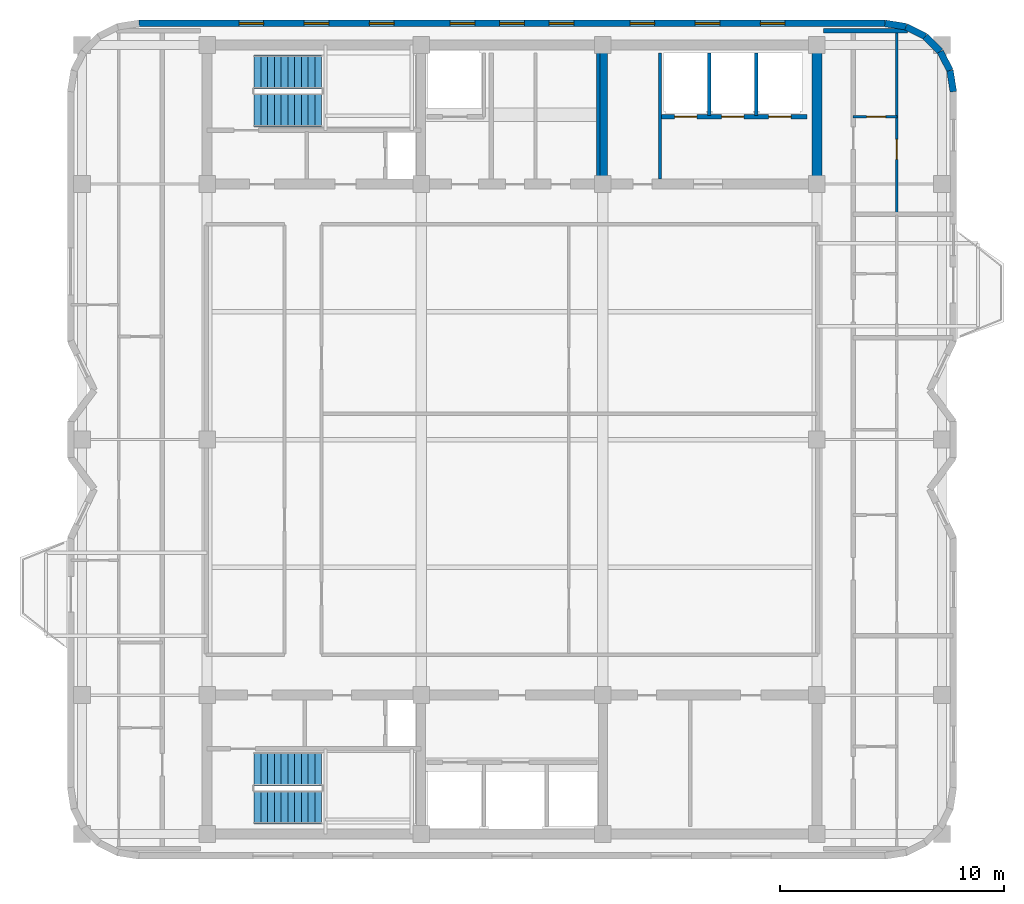
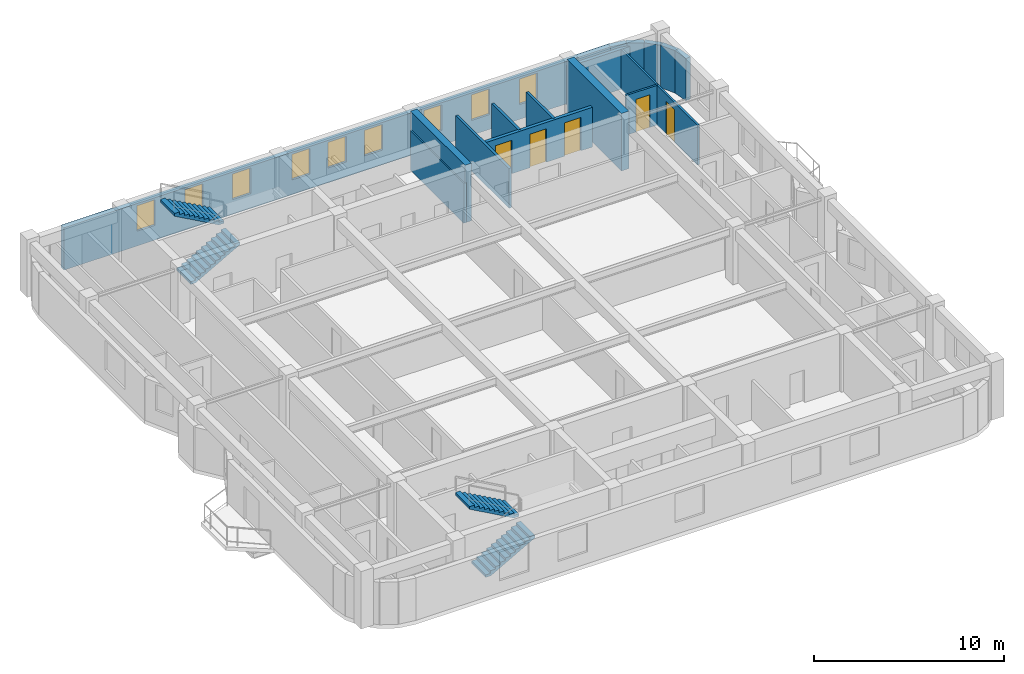
# One storey, part 6 of 8: 16 walls, 9 windows, 5 doors, 4 stair flights, 14 openings, 2 elements without a shape of their own.
"""IFC4 building model written with IfcOpenShell, lengths in metres."""

from ifc_helpers import new_model, si_unit, direction, frame, frame_2d, origin, place, context, subcontext, project, spatial, polyline, rectangle, outline, extrude, material, layer, layer_set, type_object, element, fill, aggregate, save


model = new_model("IFC4")

# Units and contexts
model_context = context("Model", 3, precision=1e-05, world=origin(), true_north=direction((0.0, 1.0)))
body_context = subcontext(model_context, "Body", "Model", "MODEL_VIEW")
ifc_project = project(units=[si_unit("LENGTHUNIT", "METRE"), si_unit("AREAUNIT", "SQUARE_METRE"), si_unit("VOLUMEUNIT", "CUBIC_METRE"), si_unit("PLANEANGLEUNIT", "RADIAN"), si_unit("MASSUNIT", "GRAM", prefix="KILO")], contexts=[model_context])

# Site, building, storey
site_placement = place(None, origin())
site = spatial("IfcSite", under=ifc_project, at=site_placement, CompositionType="ELEMENT")
building_placement = place(site_placement, origin())
building = spatial("IfcBuilding", under=site, at=building_placement, Name="Svetorya Sky Lyceum", CompositionType="ELEMENT")
storey_placement = place(building_placement, frame((0.0, 0.0, 278.699951171875)))
storey = spatial("IfcBuildingStorey", under=building, at=storey_placement, Name="L70", CompositionType="ELEMENT", Elevation=278.699951171875)

# Walls
ifc_material_1 = material(Name="Concrete C40/50", Category="concrete")
ifc_layer_1 = layer(ifc_material_1, 0.39990234375)
ifc_layer_set_1 = layer_set([ifc_layer_1], Name="Concrete C40/50")
wall_type_1 = type_object("IfcWallType", Name="WL-CORE-400", PredefinedType="SHEAR", material=ifc_layer_set_1)
wall_1_placement = place(storey_placement, frame((43.25, 39.824951171875, 0.0), z_axis=(0.0, 0.0, 1.0), x_axis=(0.0, 1.0, 0.0)))
element("IfcWall", 1, at=wall_1_placement, inside=storey, type_object=wall_type_1, Name="L70 NC Internal Shear Web WEB2", PredefinedType="SHEAR", context=body_context, shape_type="SweptSolid", body=[
    extrude(rectangle(XDim=5.75, YDim=0.39990234375, at=frame_2d((2.875, 0.0))), origin(), (0.0, 0.0, 1.0), 3.699951171875),
])
ifc_material_2 = material(Name="Concrete C50/60", Category="concrete")
ifc_layer_2 = layer(ifc_material_2, 0.449951171875)
ifc_layer_set_2 = layer_set([ifc_layer_2], Name="Concrete C50/60")
wall_type_2 = type_object("IfcWallType", Name="WL-CORE-450", PredefinedType="SHEAR", material=ifc_layer_set_2)
wall_2_placement = place(storey_placement, frame((52.800048828125, 39.824951171875, 0.0), z_axis=(0.0, 0.0, 1.0), x_axis=(0.0, 1.0, 0.0)))
element("IfcWall", 2, at=wall_2_placement, inside=storey, type_object=wall_type_2, Name="L70 NC East Core Shear Wall", PredefinedType="SHEAR", context=body_context, shape_type="SweptSolid", body=[
    extrude(rectangle(XDim=5.75, YDim=0.449951171875, at=frame_2d((2.875, 0.0))), origin(), (0.0, 0.0, 1.0), 3.699951171875),
])
ifc_material_3 = material(Name="Putilovo limestone rainscreen on autoclaved cellular masonry", Category="masonry")
ifc_layer_3 = layer(ifc_material_3, 0.300048828125)
ifc_layer_set_3 = layer_set([ifc_layer_3], Name="Putilovo limestone rainscreen on autoclaved cellular masonry")
wall_type_3 = type_object("IfcWallType", Name="WL-EXT-300", PredefinedType="SOLIDWALL", material=ifc_layer_set_3)
wall_3_placement = place(storey_placement, frame((58.889892578125, 43.719970703125, 0.0), z_axis=(0.0, 0.0, 1.0), x_axis=(-0.156304114255, 0.987708977314, 0.0)))
element("IfcWall", 3, at=wall_3_placement, inside=storey, type_object=wall_type_3, Name="L70 Limestone Exterior Wall 19M", PredefinedType="SOLIDWALL", context=body_context, shape_type="SweptSolid", body=[
    extrude(rectangle(XDim=0.954345703125, YDim=0.300048828125, at=frame_2d((0.47705078125, 0.0))), origin(), (0.0, 0.0, 1.0), 2.72998046875),
])
wall_4_placement = place(storey_placement, frame((58.74072265625, 44.66259765625, 0.0), z_axis=(0.0, 0.0, 1.0), x_axis=(-0.45395644796, 0.891023873617, 0.0)))
element("IfcWall", 4, at=wall_4_placement, inside=storey, type_object=wall_type_3, Name="L70 Limestone Exterior Wall 20M", PredefinedType="SOLIDWALL", context=body_context, shape_type="SweptSolid", body=[
    extrude(rectangle(XDim=0.9541015625, YDim=0.300048828125, at=frame_2d((0.47705078125, 0.0))), origin(), (0.0, 0.0, 1.0), 2.72998046875),
])
for number, where, z_axis, x_axis, name in (
    (5, (58.3076171875, 45.5126953125, 0.0), (0.0, 0.0, 1.0), (-0.707106781187, 0.707106781187, 0.0), "L70 Limestone Exterior Wall 21M"),
    (6, (57.6328125, 46.1875, 0.0), (0.0, 0.0, 1.0), (-0.891076589373, 0.453852962833, 0.0), "L70 Limestone Exterior Wall 22M"),
):
    element("IfcWall", number, at=place(storey_placement, frame(where, z_axis=z_axis, x_axis=x_axis)), inside=storey, type_object=wall_type_3, Name=name, PredefinedType="SOLIDWALL", context=body_context, shape_type="SweptSolid", body=[
        extrude(rectangle(XDim=0.954345703125, YDim=0.300048828125, at=frame_2d((0.47705078125, 0.0))), origin(), (0.0, 0.0, 1.0), 2.72998046875),
    ])
wall_5_placement = place(storey_placement, frame((56.782470703125, 46.62060546875, 0.0), z_axis=(0.0, 0.0, 1.0), x_axis=(-0.987663181641, 0.156593229835, 0.0)))
element("IfcWall", 7, at=wall_5_placement, inside=storey, type_object=wall_type_3, Name="L70 Limestone Exterior Wall 23M", PredefinedType="SOLIDWALL", context=body_context, shape_type="SweptSolid", body=[
    extrude(rectangle(XDim=0.9541015625, YDim=0.300048828125, at=frame_2d((0.47705078125, 0.0))), origin(), (0.0, 0.0, 1.0), 2.72998046875),
])

# Wall, openings, windows
wall_6_placement = place(storey_placement, frame((55.840087890625, 46.77001953125, 0.0), z_axis=(0.0, 0.0, 1.0), x_axis=(-1.0, 0.0, 0.0)))
wall_6 = element("IfcWall", 8, at=wall_6_placement, inside=storey, type_object=wall_type_3, Name="L70 Limestone Exterior Wall 24M", PredefinedType="SOLIDWALL", context=body_context, shape_type="SweptSolid", body=[
    extrude(rectangle(XDim=33.280029296875, YDim=0.300048828125, at=frame_2d((16.64013671875, 0.0))), origin(), (0.0, 0.0, 1.0), 2.72998046875),
])
opening_1_placement = place(wall_6_placement, frame((4.4609375, 0.0, 0.949951171875)))
opening_1 = element("IfcOpeningElement", 9, at=opening_1_placement, cuts=wall_6, Name="Opening W-R3", PredefinedType="OPENING", context=body_context, shape_type="SweptSolid", body=[
    extrude(rectangle(XDim=1.10009765625, YDim=1.64990234375, at=frame_2d((0.550048828125, 0.824951171875))), frame((0.0, 0.159912109375, 0.0), z_axis=(0.0, -1.0, 0.0), x_axis=(1.0, 0.0, 0.0)), (0.0, 0.0, 1.0), 0.320068359375),
])
opening_2_placement = place(wall_6_placement, frame((7.3681640625, 0.0, 0.949951171875)))
opening_2 = element("IfcOpeningElement", 10, at=opening_2_placement, cuts=wall_6, Name="Opening W-R3", PredefinedType="OPENING", context=body_context, shape_type="SweptSolid", body=[
    extrude(rectangle(XDim=1.10009765625, YDim=1.64990234375, at=frame_2d((0.550048828125, 0.824951171875))), frame((0.0, 0.159912109375, 0.0), z_axis=(0.0, -1.0, 0.0), x_axis=(1.0, 0.0, 0.0)), (0.0, 0.0, 1.0), 0.320068359375),
])
opening_3_placement = place(wall_6_placement, frame((10.275390625, 0.0, 0.949951171875)))
opening_3 = element("IfcOpeningElement", 11, at=opening_3_placement, cuts=wall_6, Name="Opening W-R3", PredefinedType="OPENING", context=body_context, shape_type="SweptSolid", body=[
    extrude(rectangle(XDim=1.10009765625, YDim=1.64990234375, at=frame_2d((0.550048828125, 0.824951171875))), frame((0.0, 0.159912109375, 0.0), z_axis=(0.0, -1.0, 0.0), x_axis=(1.0, 0.0, 0.0)), (0.0, 0.0, 1.0), 0.320068359375),
])
opening_4_placement = place(wall_6_placement, frame((13.8828125, 0.0, 0.949951171875)))
opening_4 = element("IfcOpeningElement", 12, at=opening_4_placement, cuts=wall_6, Name="Opening W-R3", PredefinedType="OPENING", context=body_context, shape_type="SweptSolid", body=[
    extrude(rectangle(XDim=1.10009765625, YDim=1.64990234375, at=frame_2d((0.550048828125, 0.824951171875))), frame((0.0, 0.159912109375, 0.0), z_axis=(0.0, -1.0, 0.0), x_axis=(1.0, 0.0, 0.0)), (0.0, 0.0, 1.0), 0.320068359375),
])
opening_5_placement = place(wall_6_placement, frame((16.090087890625, 0.0, 0.949951171875)))
opening_5 = element("IfcOpeningElement", 13, at=opening_5_placement, cuts=wall_6, Name="Opening W-R3", PredefinedType="OPENING", context=body_context, shape_type="SweptSolid", body=[
    extrude(rectangle(XDim=1.10009765625, YDim=1.64990234375, at=frame_2d((0.550048828125, 0.824951171875))), frame((0.0, 0.159912109375, 0.0), z_axis=(0.0, -1.0, 0.0), x_axis=(1.0, 0.0, 0.0)), (0.0, 0.0, 1.0), 0.320068359375),
])
opening_6_placement = place(wall_6_placement, frame((18.29736328125, 0.0, 0.949951171875)))
opening_6 = element("IfcOpeningElement", 14, at=opening_6_placement, cuts=wall_6, Name="Opening W-R3", PredefinedType="OPENING", context=body_context, shape_type="SweptSolid", body=[
    extrude(rectangle(XDim=1.10009765625, YDim=1.64990234375, at=frame_2d((0.550048828125, 0.824951171875))), frame((0.0, 0.159912109375, 0.0), z_axis=(0.0, -1.0, 0.0), x_axis=(1.0, 0.0, 0.0)), (0.0, 0.0, 1.0), 0.320068359375),
])
opening_7_placement = place(wall_6_placement, frame((21.904541015625, 0.0, 0.949951171875)))
opening_7 = element("IfcOpeningElement", 15, at=opening_7_placement, cuts=wall_6, Name="Opening W-R3", PredefinedType="OPENING", context=body_context, shape_type="SweptSolid", body=[
    extrude(rectangle(XDim=1.10009765625, YDim=1.64990234375, at=frame_2d((0.550048828125, 0.824951171875))), frame((0.0, 0.159912109375, 0.0), z_axis=(0.0, -1.0, 0.0), x_axis=(1.0, 0.0, 0.0)), (0.0, 0.0, 1.0), 0.320068359375),
])
opening_8_placement = place(wall_6_placement, frame((24.811767578125, 0.0, 0.949951171875)))
opening_8 = element("IfcOpeningElement", 16, at=opening_8_placement, cuts=wall_6, Name="Opening W-R3", PredefinedType="OPENING", context=body_context, shape_type="SweptSolid", body=[
    extrude(rectangle(XDim=1.10009765625, YDim=1.64990234375, at=frame_2d((0.550048828125, 0.824951171875))), frame((0.0, 0.159912109375, 0.0), z_axis=(0.0, -1.0, 0.0), x_axis=(1.0, 0.0, 0.0)), (0.0, 0.0, 1.0), 0.320068359375),
])
opening_9_placement = place(wall_6_placement, frame((27.718994140625, 0.0, 0.949951171875)))
opening_9 = element("IfcOpeningElement", 17, at=opening_9_placement, cuts=wall_6, Name="Opening W-R3", PredefinedType="OPENING", context=body_context, shape_type="SweptSolid", body=[
    extrude(rectangle(XDim=1.10009765625, YDim=1.64990234375, at=frame_2d((0.550048828125, 0.824951171875))), frame((0.0, 0.159912109375, 0.0), z_axis=(0.0, -1.0, 0.0), x_axis=(1.0, 0.0, 0.0)), (0.0, 0.0, 1.0), 0.320068359375),
])
ifc_material_4 = material(Name="Thermally broken aluminium frame with triple low-E glazing", Category="aluminium")
window_type = type_object("IfcWindowType", Name="WN-RES-110", PartitioningType="SINGLE_PANEL", PredefinedType="WINDOW", material=ifc_material_4)
window_1_placement = place(opening_1_placement, origin())
window_1 = element("IfcWindow", 18, at=window_1_placement, inside=storey, type_object=window_type, Name="L70 Facade Window W-R3.24M.1", OverallHeight=1.64990234375, OverallWidth=1.10009765625, PartitioningType="SINGLE_PANEL", PredefinedType="WINDOW", context=body_context, shape_type="SweptSolid", body=[
    extrude(rectangle(XDim=1.10009765625, YDim=1.64990234375, at=frame_2d((0.550048828125, 0.824951171875))), frame((0.0, 0.030029296875, 0.0), z_axis=(0.0, -1.0, 0.0), x_axis=(1.0, 0.0, 0.0)), (0.0, 0.0, 1.0), 0.06005859375),
])
fill(opening_1, window_1)
window_2_placement = place(opening_2_placement, origin())
window_2 = element("IfcWindow", 19, at=window_2_placement, inside=storey, type_object=window_type, Name="L70 Facade Window W-R3.24M.2", OverallHeight=1.64990234375, OverallWidth=1.10009765625, PartitioningType="SINGLE_PANEL", PredefinedType="WINDOW", context=body_context, shape_type="SweptSolid", body=[
    extrude(rectangle(XDim=1.10009765625, YDim=1.64990234375, at=frame_2d((0.550048828125, 0.824951171875))), frame((0.0, 0.030029296875, 0.0), z_axis=(0.0, -1.0, 0.0), x_axis=(1.0, 0.0, 0.0)), (0.0, 0.0, 1.0), 0.06005859375),
])
fill(opening_2, window_2)
window_3_placement = place(opening_3_placement, origin())
window_3 = element("IfcWindow", 20, at=window_3_placement, inside=storey, type_object=window_type, Name="L70 Facade Window W-R3.24M.3", OverallHeight=1.64990234375, OverallWidth=1.10009765625, PartitioningType="SINGLE_PANEL", PredefinedType="WINDOW", context=body_context, shape_type="SweptSolid", body=[
    extrude(rectangle(XDim=1.10009765625, YDim=1.64990234375, at=frame_2d((0.550048828125, 0.824951171875))), frame((0.0, 0.030029296875, 0.0), z_axis=(0.0, -1.0, 0.0), x_axis=(1.0, 0.0, 0.0)), (0.0, 0.0, 1.0), 0.06005859375),
])
fill(opening_3, window_3)
window_4_placement = place(opening_4_placement, origin())
window_4 = element("IfcWindow", 21, at=window_4_placement, inside=storey, type_object=window_type, Name="L70 Facade Window W-R3.24M.4", OverallHeight=1.64990234375, OverallWidth=1.10009765625, PartitioningType="SINGLE_PANEL", PredefinedType="WINDOW", context=body_context, shape_type="SweptSolid", body=[
    extrude(rectangle(XDim=1.10009765625, YDim=1.64990234375, at=frame_2d((0.550048828125, 0.824951171875))), frame((0.0, 0.030029296875, 0.0), z_axis=(0.0, -1.0, 0.0), x_axis=(1.0, 0.0, 0.0)), (0.0, 0.0, 1.0), 0.06005859375),
])
fill(opening_4, window_4)
window_5_placement = place(opening_5_placement, origin())
window_5 = element("IfcWindow", 22, at=window_5_placement, inside=storey, type_object=window_type, Name="L70 Facade Window W-R3.24M.5", OverallHeight=1.64990234375, OverallWidth=1.10009765625, PartitioningType="SINGLE_PANEL", PredefinedType="WINDOW", context=body_context, shape_type="SweptSolid", body=[
    extrude(rectangle(XDim=1.10009765625, YDim=1.64990234375, at=frame_2d((0.550048828125, 0.824951171875))), frame((0.0, 0.030029296875, 0.0), z_axis=(0.0, -1.0, 0.0), x_axis=(1.0, 0.0, 0.0)), (0.0, 0.0, 1.0), 0.06005859375),
])
fill(opening_5, window_5)
window_6_placement = place(opening_6_placement, origin())
window_6 = element("IfcWindow", 23, at=window_6_placement, inside=storey, type_object=window_type, Name="L70 Facade Window W-R3.24M.6", OverallHeight=1.64990234375, OverallWidth=1.10009765625, PartitioningType="SINGLE_PANEL", PredefinedType="WINDOW", context=body_context, shape_type="SweptSolid", body=[
    extrude(rectangle(XDim=1.10009765625, YDim=1.64990234375, at=frame_2d((0.550048828125, 0.824951171875))), frame((0.0, 0.030029296875, 0.0), z_axis=(0.0, -1.0, 0.0), x_axis=(1.0, 0.0, 0.0)), (0.0, 0.0, 1.0), 0.06005859375),
])
fill(opening_6, window_6)
window_7_placement = place(opening_7_placement, origin())
window_7 = element("IfcWindow", 24, at=window_7_placement, inside=storey, type_object=window_type, Name="L70 Facade Window W-R3.24M.7", OverallHeight=1.64990234375, OverallWidth=1.10009765625, PartitioningType="SINGLE_PANEL", PredefinedType="WINDOW", context=body_context, shape_type="SweptSolid", body=[
    extrude(rectangle(XDim=1.10009765625, YDim=1.64990234375, at=frame_2d((0.550048828125, 0.824951171875))), frame((0.0, 0.030029296875, 0.0), z_axis=(0.0, -1.0, 0.0), x_axis=(1.0, 0.0, 0.0)), (0.0, 0.0, 1.0), 0.06005859375),
])
fill(opening_7, window_7)
window_8_placement = place(opening_8_placement, origin())
window_8 = element("IfcWindow", 25, at=window_8_placement, inside=storey, type_object=window_type, Name="L70 Facade Window W-R3.24M.8", OverallHeight=1.64990234375, OverallWidth=1.10009765625, PartitioningType="SINGLE_PANEL", PredefinedType="WINDOW", context=body_context, shape_type="SweptSolid", body=[
    extrude(rectangle(XDim=1.10009765625, YDim=1.64990234375, at=frame_2d((0.550048828125, 0.824951171875))), frame((0.0, 0.030029296875, 0.0), z_axis=(0.0, -1.0, 0.0), x_axis=(1.0, 0.0, 0.0)), (0.0, 0.0, 1.0), 0.06005859375),
])
fill(opening_8, window_8)
window_9_placement = place(opening_9_placement, origin())
window_9 = element("IfcWindow", 26, at=window_9_placement, inside=storey, type_object=window_type, Name="L70 Facade Window W-R3.24M.9", OverallHeight=1.64990234375, OverallWidth=1.10009765625, PartitioningType="SINGLE_PANEL", PredefinedType="WINDOW", context=body_context, shape_type="SweptSolid", body=[
    extrude(rectangle(XDim=1.10009765625, YDim=1.64990234375, at=frame_2d((0.550048828125, 0.824951171875))), frame((0.0, 0.030029296875, 0.0), z_axis=(0.0, -1.0, 0.0), x_axis=(1.0, 0.0, 0.0)), (0.0, 0.0, 1.0), 0.06005859375),
])
fill(opening_9, window_9)

# Wall, opening, door
ifc_material_5 = material(Name="Twin-stud galvanized framing with double fireboard", Category="gypsum")
ifc_layer_4 = layer(ifc_material_5, 0.1201171875)
ifc_layer_set_4 = layer_set([ifc_layer_4], Name="Twin-stud galvanized framing with double fireboard")
wall_type_4 = type_object("IfcWallType", Name="WL-PART-120", PredefinedType="PARTITIONING", material=ifc_layer_set_4)
wall_7_placement = place(storey_placement, frame((54.419921875, 42.60009765625, 0.0), z_axis=(0.0, 0.0, 1.0), x_axis=(1.0, 0.0, 0.0)))
wall_7 = element("IfcWall", 27, at=wall_7_placement, inside=storey, type_object=wall_type_4, Name="L70 Interior Partition E4-WH1", PredefinedType="PARTITIONING", context=body_context, shape_type="SweptSolid", body=[
    extrude(rectangle(XDim=1.9501953125, YDim=0.1201171875, at=frame_2d((0.97509765625, 0.0))), origin(), (0.0, 0.0, 1.0), 2.56005859375),
])
opening_10_placement = place(wall_7_placement, frame((0.60009765625, 0.0, 0.0)))
opening_10 = element("IfcOpeningElement", 28, at=opening_10_placement, cuts=wall_7, Name="Opening D-BT1", PredefinedType="OPENING", context=body_context, shape_type="SweptSolid", body=[
    extrude(rectangle(XDim=0.85009765625, YDim=2.10009765625, at=frame_2d((0.425048828125, 1.050048828125))), frame((0.0, 0.070068359375, 0.0), z_axis=(0.0, -1.0, 0.0), x_axis=(1.0, 0.0, 0.0)), (0.0, 0.0, 1.0), 0.14013671875),
])
ifc_material_6 = material(Name="Moisture-resistant laminate bathroom door")
door_type_1 = type_object("IfcDoorType", Name="DR-WET-850", OperationType="SINGLE_SWING_LEFT", PredefinedType="DOOR", material=ifc_material_6)
door_1_placement = place(opening_10_placement, origin())
door_1 = element("IfcDoor", 29, at=door_1_placement, inside=storey, type_object=door_type_1, Name="Apartment E4 Bathroom Door", OperationType="SINGLE_SWING_LEFT", OverallHeight=2.10009765625, OverallWidth=0.85009765625, PredefinedType="DOOR", context=body_context, shape_type="SweptSolid", body=[
    extrude(rectangle(XDim=0.85009765625, YDim=2.10009765625, at=frame_2d((0.425048828125, 1.050048828125))), frame((0.0, 0.02490234375, 0.0), z_axis=(0.0, -1.0, 0.0), x_axis=(1.0, 0.0, 0.0)), (0.0, 0.0, 1.0), 0.050048828125),
])
fill(opening_10, door_1)

wall_8_placement = place(storey_placement, frame((56.3701171875, 38.2900390625, 0.0), z_axis=(0.0, 0.0, 1.0), x_axis=(0.0, 1.0, 0.0)))
wall_8 = element("IfcWall", 30, at=wall_8_placement, inside=storey, type_object=wall_type_4, Name="L70 Interior Partition E4-WV", PredefinedType="PARTITIONING", context=body_context, shape_type="SweptSolid", body=[
    extrude(rectangle(XDim=8.119873046875, YDim=0.1201171875, at=frame_2d((4.06005859375, 0.0))), origin(), (0.0, 0.0, 1.0), 2.56005859375),
])
opening_11_placement = place(wall_8_placement, frame((2.409912109375, 0.0, 0.0)))
opening_11 = element("IfcOpeningElement", 31, at=opening_11_placement, cuts=wall_8, Name="Opening D-RM1", PredefinedType="OPENING", context=body_context, shape_type="SweptSolid", body=[
    extrude(rectangle(XDim=0.89990234375, YDim=2.10009765625, at=frame_2d((0.449951171875, 1.050048828125))), frame((0.0, 0.070068359375, 0.0), z_axis=(0.0, -1.0, 0.0), x_axis=(1.0, 0.0, 0.0)), (0.0, 0.0, 1.0), 0.14013671875),
])
ifc_material_7 = material(Name="Lacquered birch veneer internal door")
door_type_2 = type_object("IfcDoorType", Name="DR-INT-900", OperationType="SINGLE_SWING_LEFT", PredefinedType="DOOR", material=ifc_material_7)
door_2_placement = place(opening_11_placement, origin())
door_2 = element("IfcDoor", 32, at=door_2_placement, inside=storey, type_object=door_type_2, Name="Apartment E4 Living Door", OperationType="SINGLE_SWING_RIGHT", OverallHeight=2.10009765625, OverallWidth=0.89990234375, PredefinedType="DOOR", context=body_context, shape_type="SweptSolid", body=[
    extrude(rectangle(XDim=0.89990234375, YDim=2.10009765625, at=frame_2d((0.449951171875, 1.050048828125))), frame((0.0, 0.02490234375, 0.0), z_axis=(0.0, -1.0, 0.0), x_axis=(1.0, 0.0, 0.0)), (0.0, 0.0, 1.0), 0.050048828125),
])
fill(opening_11, door_2)

# Walls
ifc_material_8 = material(Name="Autoclaved cellular masonry blockwork with acoustic render", Category="masonry")
ifc_layer_5 = layer(ifc_material_8, 0.14990234375)
ifc_layer_set_5 = layer_set([ifc_layer_5], Name="Autoclaved cellular masonry blockwork with acoustic render")
wall_type_5 = type_object("IfcWallType", Name="WL-PART-150", PredefinedType="PARTITIONING", material=ifc_layer_set_5)
for number, where, z_axis, x_axis, name in (
    (33, (43.050048828125, 39.820068359375, 0.0), (0.0, 0.0, 1.0), (0.0, 1.0, 0.0), "L70 Interior Partition NC-FPM-END"),
    (34, (45.800048828125, 39.820068359375, 0.0), (0.0, 0.0, 1.0), (0.0, 1.0, 0.0), "L70 Interior Partition NC-PM3-FULL"),
):
    element("IfcWall", number, at=place(storey_placement, frame(where, z_axis=z_axis, x_axis=x_axis)), inside=storey, type_object=wall_type_5, Name=name, PredefinedType="PARTITIONING", context=body_context, shape_type="SweptSolid", body=[
        extrude(rectangle(XDim=5.6298828125, YDim=0.14990234375, at=frame_2d((2.81494140625, 0.0))), origin(), (0.0, 0.0, 1.0), 2.56005859375),
    ])
for number, where, z_axis, x_axis, name in (
    (35, (48.0, 42.64990234375, 0.0), (0.0, 0.0, 1.0), (0.0, 1.0, 0.0), "L70 Interior Partition NC-PH-D1"),
    (36, (50.10009765625, 42.64990234375, 0.0), (0.0, 0.0, 1.0), (0.0, 1.0, 0.0), "L70 Interior Partition NC-PH-D2"),
):
    element("IfcWall", number, at=place(storey_placement, frame(where, z_axis=z_axis, x_axis=x_axis)), inside=storey, type_object=wall_type_5, Name=name, PredefinedType="PARTITIONING", context=body_context, shape_type="SweptSolid", body=[
        extrude(rectangle(XDim=2.800048828125, YDim=0.14990234375, at=frame_2d((1.39990234375, 0.0))), origin(), (0.0, 0.0, 1.0), 2.56005859375),
    ])

# Wall, openings, doors
ifc_material_9 = material(Name="Autoclaved cellular masonry blockwork with gypsum plaster", Category="masonry")
ifc_layer_6 = layer(ifc_material_9, 0.199951171875)
ifc_layer_set_6 = layer_set([ifc_layer_6], Name="Autoclaved cellular masonry blockwork with gypsum plaster")
wall_type_6 = type_object("IfcWallType", Name="WL-PART-200", PredefinedType="PARTITIONING", material=ifc_layer_set_6)
wall_9_placement = place(storey_placement, frame((52.35009765625, 42.60009765625, 0.0), z_axis=(0.0, 0.0, 1.0), x_axis=(-1.0, 0.0, 0.0)))
wall_9 = element("IfcWall", 37, at=wall_9_placement, inside=storey, type_object=wall_type_6, Name="L70 Interior Partition NC-PHEW", PredefinedType="PARTITIONING", context=body_context, shape_type="SweptSolid", body=[
    extrude(rectangle(XDim=6.5, YDim=0.199951171875, at=frame_2d((3.25, 0.0))), origin(), (0.0, 0.0, 1.0), 2.56005859375),
])
opening_12_placement = place(wall_9_placement, frame((4.89990234375, 0.0, 0.0)))
opening_12 = element("IfcOpeningElement", 38, at=opening_12_placement, cuts=wall_9, Name="Opening LD-P1", PredefinedType="OPENING", context=body_context, shape_type="SweptSolid", body=[
    extrude(rectangle(XDim=1.0, YDim=2.14990234375, at=frame_2d((0.5, 1.074951171875))), frame((0.0, 0.10986328125, 0.0), z_axis=(0.0, -1.0, 0.0), x_axis=(1.0, 0.0, 0.0)), (0.0, 0.0, 1.0), 0.219970703125),
])
opening_13_placement = place(wall_9_placement, frame((2.800048828125, 0.0, 0.0)))
opening_13 = element("IfcOpeningElement", 39, at=opening_13_placement, cuts=wall_9, Name="Opening LD-P1", PredefinedType="OPENING", context=body_context, shape_type="SweptSolid", body=[
    extrude(rectangle(XDim=1.0, YDim=2.14990234375, at=frame_2d((0.5, 1.074951171875))), frame((0.0, 0.10986328125, 0.0), z_axis=(0.0, -1.0, 0.0), x_axis=(1.0, 0.0, 0.0)), (0.0, 0.0, 1.0), 0.219970703125),
])
opening_14_placement = place(wall_9_placement, frame((0.699951171875, 0.0, 0.0)))
opening_14 = element("IfcOpeningElement", 40, at=opening_14_placement, cuts=wall_9, Name="Opening LD-P1", PredefinedType="OPENING", context=body_context, shape_type="SweptSolid", body=[
    extrude(rectangle(XDim=1.0, YDim=2.14990234375, at=frame_2d((0.5, 1.074951171875))), frame((0.0, 0.10986328125, 0.0), z_axis=(0.0, -1.0, 0.0), x_axis=(1.0, 0.0, 0.0)), (0.0, 0.0, 1.0), 0.219970703125),
])
ifc_material_10 = material(Name="Champagne-anodized stainless passenger lift landing door")
door_type_3 = type_object("IfcDoorType", Name="DR-LIFT-1000", OperationType="SLIDING_TO_LEFT", PredefinedType="DOOR", material=ifc_material_10)
door_3_placement = place(opening_12_placement, origin())
door_3 = element("IfcDoor", 41, at=door_3_placement, inside=storey, type_object=door_type_3, Name="L70 Passenger Lift PH1 Landing Door", OperationType="SLIDING_TO_LEFT", OverallHeight=2.14990234375, OverallWidth=1.0, PredefinedType="DOOR", context=body_context, shape_type="SweptSolid", body=[
    extrude(rectangle(XDim=1.0, YDim=2.14990234375, at=frame_2d((0.5, 1.074951171875))), frame((0.0, 0.02490234375, 0.0), z_axis=(0.0, -1.0, 0.0), x_axis=(1.0, 0.0, 0.0)), (0.0, 0.0, 1.0), 0.050048828125),
])
fill(opening_12, door_3)
door_4_placement = place(opening_13_placement, origin())
door_4 = element("IfcDoor", 42, at=door_4_placement, inside=storey, type_object=door_type_3, Name="L70 Passenger Lift PH2 Landing Door", OperationType="SLIDING_TO_LEFT", OverallHeight=2.14990234375, OverallWidth=1.0, PredefinedType="DOOR", context=body_context, shape_type="SweptSolid", body=[
    extrude(rectangle(XDim=1.0, YDim=2.14990234375, at=frame_2d((0.5, 1.074951171875))), frame((0.0, 0.02490234375, 0.0), z_axis=(0.0, -1.0, 0.0), x_axis=(1.0, 0.0, 0.0)), (0.0, 0.0, 1.0), 0.050048828125),
])
fill(opening_13, door_4)
door_5_placement = place(opening_14_placement, origin())
door_5 = element("IfcDoor", 43, at=door_5_placement, inside=storey, type_object=door_type_3, Name="L70 Passenger Lift PH3 Landing Door", OperationType="SLIDING_TO_LEFT", OverallHeight=2.14990234375, OverallWidth=1.0, PredefinedType="DOOR", context=body_context, shape_type="SweptSolid", body=[
    extrude(rectangle(XDim=1.0, YDim=2.14990234375, at=frame_2d((0.5, 1.074951171875))), frame((0.0, 0.02490234375, 0.0), z_axis=(0.0, -1.0, 0.0), x_axis=(1.0, 0.0, 0.0)), (0.0, 0.0, 1.0), 0.050048828125),
])
fill(opening_14, door_5)

# Wall
wall_10_placement = place(storey_placement, frame((53.10009765625, 46.449951171875, 0.0), z_axis=(0.0, 0.0, 1.0), x_axis=(1.0, 0.0, 0.0)))
element("IfcWall", 44, at=wall_10_placement, inside=storey, type_object=wall_type_6, Name="L70 Interior Partition E-CAP-N", PredefinedType="PARTITIONING", context=body_context, shape_type="SweptSolid", body=[
    extrude(rectangle(XDim=3.75390625, YDim=0.199951171875, at=frame_2d((1.876953125, 0.0))), origin(), (0.0, 0.0, 1.0), 2.56005859375),
])

# Stair, stair flights
stair_type_1 = type_object("IfcStairType", Name="STR-ST-N", PredefinedType="HALF_TURN_STAIR", material=ifc_material_1)
stair_1_placement = place(storey_placement, origin())
stair_1 = element("IfcStair", 45, at=stair_1_placement, inside=storey, type_object=stair_type_1, Name="L70 North Core Smoke-Free Exit Stair N3", PredefinedType="HALF_TURN_STAIR")
stair_flight_type_1 = type_object("IfcStairFlightType", Name="SFL-ST-N", PredefinedType="STRAIGHT", material=ifc_material_1)
stair_flight_1_placement = place(storey_placement, frame((27.699951171875, 42.89990234375, 0.0), z_axis=(0.0, 0.0, 1.0), x_axis=(1.0, 0.0, 0.0)))
stair_flight_1 = element("IfcStairFlight", 46, at=stair_flight_1_placement, type_object=stair_flight_type_1, Name="ST-N flight 1", NumberOfRisers=11, NumberOfTreads=10, PredefinedType="STRAIGHT", RiserHeight=0.168181818, TreadLength=0.3, context=body_context, shape_type="SweptSolid", body=[
    extrude(outline(polyline([(0.0, 0.0), (0.0, 0.168212890625), (0.300048828125, 0.168212890625), (0.300048828125, 0.33642578125), (0.60009765625, 0.33642578125), (0.60009765625, 0.504638671875), (0.89990234375, 0.504638671875), (0.89990234375, 0.672607421875), (1.199951171875, 0.672607421875), (1.199951171875, 0.8408203125), (1.5, 0.8408203125), (1.5, 1.009033203125), (1.800048828125, 1.009033203125), (1.800048828125, 1.17724609375), (2.10009765625, 1.17724609375), (2.10009765625, 1.345458984375), (2.39990234375, 1.345458984375), (2.39990234375, 1.513671875), (2.699951171875, 1.513671875), (2.699951171875, 1.681884765625), (3.0, 1.681884765625), (3.0, 1.85009765625), (3.0, 1.510009765625), (0.306640625, 0.0), (0.0, 0.0)])), frame((0.0, 0.75, 0.0), z_axis=(0.0, -1.0, 0.0), x_axis=(1.0, 0.0, 0.0)), (0.0, 0.0, 1.0), 1.5),
])
stair_flight_2_placement = place(storey_placement, frame((30.699951171875, 44.60009765625, 1.85009765625), z_axis=(0.0, 0.0, 1.0), x_axis=(-1.0, 0.0, 0.0)))
stair_flight_2 = element("IfcStairFlight", 47, at=stair_flight_2_placement, type_object=stair_flight_type_1, Name="ST-N flight 2", NumberOfRisers=11, NumberOfTreads=10, PredefinedType="STRAIGHT", RiserHeight=0.168181818, TreadLength=0.3, context=body_context, shape_type="SweptSolid", body=[
    extrude(outline(polyline([(0.0, 0.0), (0.0, 0.168212890625), (0.300048828125, 0.168212890625), (0.300048828125, 0.33642578125), (0.60009765625, 0.33642578125), (0.60009765625, 0.504638671875), (0.89990234375, 0.504638671875), (0.89990234375, 0.672607421875), (1.199951171875, 0.672607421875), (1.199951171875, 0.8408203125), (1.5, 0.8408203125), (1.5, 1.009033203125), (1.800048828125, 1.009033203125), (1.800048828125, 1.17724609375), (2.10009765625, 1.17724609375), (2.10009765625, 1.345458984375), (2.39990234375, 1.345458984375), (2.39990234375, 1.513671875), (2.699951171875, 1.513671875), (2.699951171875, 1.681884765625), (3.0, 1.681884765625), (3.0, 1.85009765625), (3.0, 1.510009765625), (0.306640625, 0.0), (0.0, 0.0)])), frame((0.0, 0.75, 0.0), z_axis=(0.0, -1.0, 0.0), x_axis=(1.0, 0.0, 0.0)), (0.0, 0.0, 1.0), 1.5),
])
aggregate(stair_1, [stair_flight_1, stair_flight_2])

stair_type_2 = type_object("IfcStairType", Name="STR-ST-S", PredefinedType="HALF_TURN_STAIR", material=ifc_material_1)
stair_2_placement = place(storey_placement, origin())
stair_2 = element("IfcStair", 48, at=stair_2_placement, inside=storey, type_object=stair_type_2, Name="L70 South Core Smoke-Free Exit Stair N2", PredefinedType="HALF_TURN_STAIR")
stair_flight_type_2 = type_object("IfcStairFlightType", Name="SFL-ST-S", PredefinedType="STRAIGHT", material=ifc_material_1)
stair_flight_3_placement = place(storey_placement, frame((27.699951171875, 11.800048828125, 0.0), z_axis=(0.0, 0.0, 1.0), x_axis=(1.0, 0.0, 0.0)))
stair_flight_3 = element("IfcStairFlight", 49, at=stair_flight_3_placement, type_object=stair_flight_type_2, Name="ST-S flight 1", NumberOfRisers=11, NumberOfTreads=10, PredefinedType="STRAIGHT", RiserHeight=0.168181818, TreadLength=0.3, context=body_context, shape_type="SweptSolid", body=[
    extrude(outline(polyline([(0.0, 0.0), (0.0, 0.168212890625), (0.300048828125, 0.168212890625), (0.300048828125, 0.33642578125), (0.60009765625, 0.33642578125), (0.60009765625, 0.504638671875), (0.89990234375, 0.504638671875), (0.89990234375, 0.672607421875), (1.199951171875, 0.672607421875), (1.199951171875, 0.8408203125), (1.5, 0.8408203125), (1.5, 1.009033203125), (1.800048828125, 1.009033203125), (1.800048828125, 1.17724609375), (2.10009765625, 1.17724609375), (2.10009765625, 1.345458984375), (2.39990234375, 1.345458984375), (2.39990234375, 1.513671875), (2.699951171875, 1.513671875), (2.699951171875, 1.681884765625), (3.0, 1.681884765625), (3.0, 1.85009765625), (3.0, 1.510009765625), (0.306640625, 0.0), (0.0, 0.0)])), frame((0.0, 0.75, 0.0), z_axis=(0.0, -1.0, 0.0), x_axis=(1.0, 0.0, 0.0)), (0.0, 0.0, 1.0), 1.5),
])
stair_flight_4_placement = place(storey_placement, frame((30.699951171875, 13.5, 1.85009765625), z_axis=(0.0, 0.0, 1.0), x_axis=(-1.0, 0.0, 0.0)))
stair_flight_4 = element("IfcStairFlight", 50, at=stair_flight_4_placement, type_object=stair_flight_type_2, Name="ST-S flight 2", NumberOfRisers=11, NumberOfTreads=10, PredefinedType="STRAIGHT", RiserHeight=0.168181818, TreadLength=0.3, context=body_context, shape_type="SweptSolid", body=[
    extrude(outline(polyline([(0.0, 0.0), (0.0, 0.168212890625), (0.300048828125, 0.168212890625), (0.300048828125, 0.33642578125), (0.60009765625, 0.33642578125), (0.60009765625, 0.504638671875), (0.89990234375, 0.504638671875), (0.89990234375, 0.672607421875), (1.199951171875, 0.672607421875), (1.199951171875, 0.8408203125), (1.5, 0.8408203125), (1.5, 1.009033203125), (1.800048828125, 1.009033203125), (1.800048828125, 1.17724609375), (2.10009765625, 1.17724609375), (2.10009765625, 1.345458984375), (2.39990234375, 1.345458984375), (2.39990234375, 1.513671875), (2.699951171875, 1.513671875), (2.699951171875, 1.681884765625), (3.0, 1.681884765625), (3.0, 1.85009765625), (3.0, 1.510009765625), (0.306640625, 0.0), (0.0, 0.0)])), frame((0.0, 0.75, 0.0), z_axis=(0.0, -1.0, 0.0), x_axis=(1.0, 0.0, 0.0)), (0.0, 0.0, 1.0), 1.5),
])
aggregate(stair_2, [stair_flight_3, stair_flight_4])

save(model, "model.ifc")
